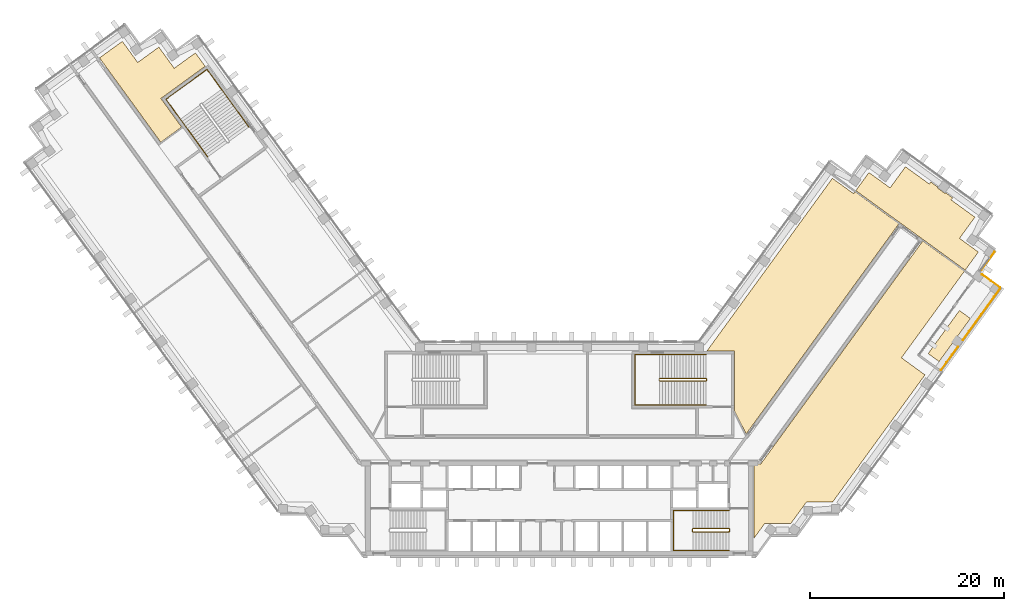
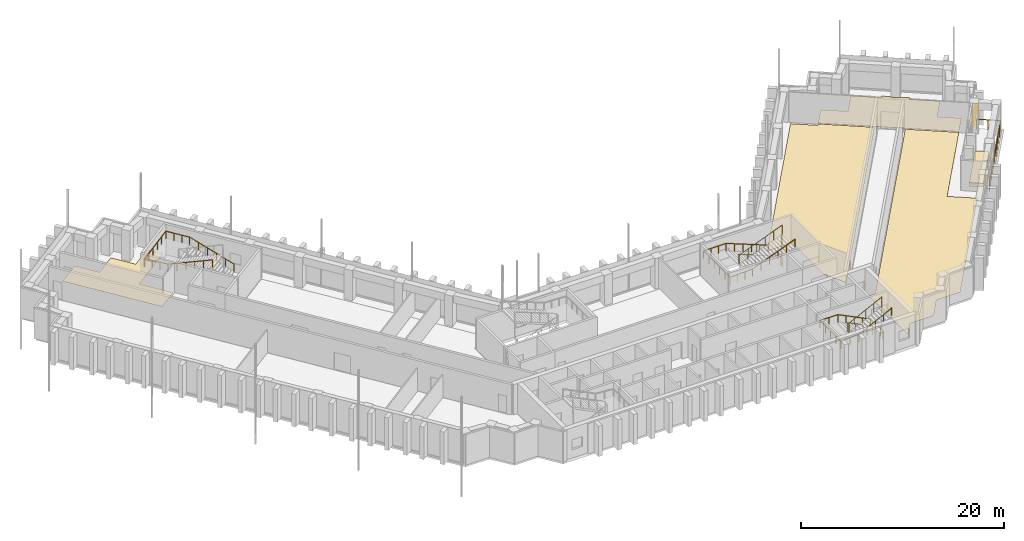
# One storey, part 16 of 16: 9 railings, 5 coverings.
"""IFC4 building model written with IfcOpenShell, lengths in metres."""

from ifc_helpers import new_model, si_unit, direction, frame, origin, origin_2d, place, context, subcontext, project, spatial, polyline, circle, outline, extrude, material, layer, layer_set, type_object, element, save


model = new_model("IFC4")

# Units and contexts
model_context = context("Model", 3, precision=1e-05, world=origin(), true_north=direction((0.0, 1.0)))
body_context = subcontext(model_context, "Body", "Model", "MODEL_VIEW")
ifc_project = project(units=[si_unit("LENGTHUNIT", "METRE"), si_unit("AREAUNIT", "SQUARE_METRE"), si_unit("VOLUMEUNIT", "CUBIC_METRE"), si_unit("PLANEANGLEUNIT", "RADIAN"), si_unit("MASSUNIT", "GRAM", prefix="KILO")], contexts=[model_context])

# Site, building, storey
site_placement = place(None, origin())
site = spatial("IfcSite", under=ifc_project, at=site_placement, CompositionType="ELEMENT")
building_placement = place(site_placement, origin())
building = spatial("IfcBuilding", under=site, at=building_placement, Name="Quipu Civic Tower", CompositionType="ELEMENT")
storey_placement = place(building_placement, frame((0.0, 0.0, 89.0)))
storey = spatial("IfcBuildingStorey", under=building, at=storey_placement, Name="L20", CompositionType="ELEMENT", Elevation=89.0)

# Coverings
ifc_material_1 = material(Name="Carpet tile on raised access floor")
ifc_layer_1 = layer(ifc_material_1, 0.02001953125)
ifc_layer_set_1 = layer_set([ifc_layer_1], Name="Carpet tile on raised access floor")
covering_type_1 = type_object("IfcCoveringType", Name="Carpet tile floor finish 20", PredefinedType="FLOORING", material=ifc_layer_set_1)
covering_1_placement = place(storey_placement, origin())
element("IfcCovering", 1, at=covering_1_placement, inside=storey, type_object=covering_type_1, Name="Carpet tile floor finish 20", PredefinedType="FLOORING", context=body_context, shape_type="SweptSolid", body=[
    extrude(outline(polyline([(-47.471923828125, 40.39794921875), (-45.116943359375, 42.10791015625), (-43.531982421875, 39.925048828125), (-41.346923828125, 41.510986328125), (-39.760009765625, 39.326904296875), (-37.574951171875, 40.9130859375), (-36.570068359375, 39.530029296875), (-41.139892578125, 36.208984375), (-38.998046875, 33.260009765625), (-41.15087890625, 31.697021484375), (-47.471923828125, 40.39794921875)])), origin(), (0.0, 0.0, 1.0), 0.02001953125),
])
covering_2_placement = place(storey_placement, origin())
element("IfcCovering", 2, at=covering_2_placement, inside=storey, type_object=covering_type_1, Name="Carpet tile floor finish 20", PredefinedType="FLOORING", context=body_context, shape_type="SweptSolid", body=[
    extrude(outline(polyline([(15.238037109375, 10.169921875), (28.169921875, 27.968994140625), (30.35302734375, 26.383056640625), (30.5009765625, 26.583984375), (35.0400390625, 23.2880859375), (19.27197265625, 1.583984375), (18.070068359375, 3.94189453125), (18.070068359375, 10.1689453125), (15.238037109375, 10.169921875)])), origin(), (0.0, 0.0, 1.0), 0.02001953125),
])
covering_3_placement = place(storey_placement, origin())
element("IfcCovering", 3, at=covering_3_placement, inside=storey, type_object=covering_type_1, Name="Carpet tile floor finish 20", PredefinedType="FLOORING", context=body_context, shape_type="SweptSolid", body=[
    extrude(outline(polyline([(20.070068359375, -9.195068359375), (20.070068359375, -1.52001953125), (20.77490234375, -1.51904296875), (37.4990234375, 21.5), (41.794921875, 18.3798828125), (35.301025390625, 9.44091796875), (37.72705078125, 7.677001953125), (28.181884765625, -5.4609375), (25.48193359375, -5.4619140625), (25.2080078125, -5.840087890625), (25.205078125, -5.841064453125), (25.200927734375, -5.843017578125), (25.197021484375, -5.844970703125), (25.193115234375, -5.847900390625), (25.18896484375, -5.85205078125), (25.18603515625, -5.85498046875), (25.18310546875, -5.85888671875), (25.179931640625, -5.863037109375), (25.177978515625, -5.867919921875), (25.177001953125, -5.8720703125), (25.175048828125, -5.876953125), (25.175048828125, -5.882080078125), (25.174072265625, -5.885986328125), (23.89501953125, -7.64599609375), (21.721923828125, -7.64599609375), (21.721923828125, -7.64599609375), (21.718017578125, -7.64306640625), (21.712890625, -7.64111328125), (21.708984375, -7.638916015625), (21.7041015625, -7.637939453125), (21.698974609375, -7.636962890625), (21.694091796875, -7.635986328125), (21.68896484375, -7.636962890625), (21.68408203125, -7.636962890625), (21.679931640625, -7.637939453125), (21.675048828125, -7.639892578125), (21.669921875, -7.64111328125), (21.666015625, -7.64404296875), (21.6630859375, -7.64599609375), (21.196044921875, -7.64599609375), (20.070068359375, -9.195068359375)])), origin(), (0.0, 0.0, 1.0), 0.02001953125),
])
covering_4_placement = place(storey_placement, origin())
element("IfcCovering", 4, at=covering_4_placement, inside=storey, type_object=covering_type_1, Name="Carpet tile floor finish 20", PredefinedType="FLOORING", context=body_context, shape_type="SweptSolid", body=[
    extrude(outline(polyline([(30.583984375, 26.697021484375), (31.94189453125, 28.56591796875), (34.126953125, 26.97998046875), (35.712890625, 29.1640625), (38.169921875, 27.37890625), (38.324951171875, 27.587890625), (39.044921875, 27.06396484375), (39.02197265625, 27.031982421875), (39.01904296875, 27.028076171875), (39.01708984375, 27.02294921875), (39.014892578125, 27.01904296875), (39.013916015625, 27.013916015625), (39.012939453125, 27.009033203125), (39.011962890625, 27.00390625), (39.011962890625, 27.0), (39.012939453125, 26.9951171875), (39.013916015625, 26.989990234375), (39.014892578125, 26.985107421875), (39.01708984375, 26.98095703125), (39.02001953125, 26.97607421875), (39.02197265625, 26.971923828125), (39.02490234375, 26.968994140625), (39.029052734375, 26.965087890625), (39.032958984375, 26.9619140625), (39.760986328125, 26.43310546875), (39.764892578125, 26.429931640625), (39.76904296875, 26.427978515625), (39.77392578125, 26.426025390625), (39.779052734375, 26.425048828125), (39.782958984375, 26.424072265625), (39.7880859375, 26.423095703125), (39.79296875, 26.424072265625), (39.798095703125, 26.424072265625), (39.802978515625, 26.425048828125), (39.80810546875, 26.427001953125), (39.81201171875, 26.427978515625), (39.81591796875, 26.430908203125), (39.820068359375, 26.43408203125), (39.823974609375, 26.43701171875), (39.827880859375, 26.43994140625), (39.8310546875, 26.444091796875), (39.85400390625, 26.47705078125), (40.574951171875, 25.952880859375), (40.424072265625, 25.740966796875), (42.881103515625, 23.95703125), (41.2939453125, 21.77294921875), (43.235107421875, 20.362060546875), (41.8779296875, 18.492919921875), (30.583984375, 26.697021484375)])), origin(), (0.0, 0.0, 1.0), 0.02001953125),
])
ifc_material_2 = material(Name="Planting soil on drainage board")
ifc_layer_2 = layer(ifc_material_2, 0.449951171875)
ifc_layer_set_2 = layer_set([ifc_layer_2], Name="Planting soil on drainage board")
covering_type_2 = type_object("IfcCoveringType", Name="Planted terrace build-up", PredefinedType="FLOORING", material=ifc_layer_set_2)
covering_5_placement = place(storey_placement, origin())
element("IfcCovering", 5, at=covering_5_placement, inside=storey, type_object=covering_type_2, Name="Planted terrace L20 bed 1", PredefinedType="FLOORING", context=body_context, shape_type="SweptSolid", body=[
    extrude(outline(polyline([(41.28515625, 14.3251953125), (42.41796875, 13.502197265625), (39.184814453125, 9.05224609375), (38.05224609375, 9.875244140625), (41.28515625, 14.3251953125)])), origin(), (0.0, 0.0, 1.0), 0.449951171875),
])

# Railings
ifc_material_3 = material(Name="Stainless steel", Category="steel")
railing_type_1 = type_object("IfcRailingType", Name="Stair guard 1100", PredefinedType="GUARDRAIL", material=ifc_material_3)
railing_1_placement = place(storey_placement, frame((17.5, -8.199951171875, 0.15380859375)))
element("IfcRailing", 6, at=railing_1_placement, inside=storey, type_object=railing_type_1, Name="Stair 2 guard", PredefinedType="GUARDRAIL", context=body_context, shape_type="SweptSolid", body=[
    extrude(circle(Radius=0.02392578125, at=origin_2d()), frame((0.0, 0.0, 1.076171875), z_axis=(-0.895751851347, 0.0, 0.444554407028), x_axis=(0.0, -1.0, 0.0)), (0.0, 0.0, 1.0), 4.15283203125),
    extrude(circle(Radius=0.02392578125, at=origin_2d()), frame((-3.719970703125, 0.0, 2.92236328125), z_axis=(-0.707106781187, -0.707106781187, 0.0), x_axis=(0.707106781187, -0.707106781187, 0.0)), (0.0, 0.0, 1.0), 0.07080078125),
    extrude(circle(Radius=0.02392578125, at=origin_2d()), frame((-3.77001953125, -0.050048828125, 2.92236328125), z_axis=(0.0, -1.0, 0.0), x_axis=(1.0, 0.0, 0.0)), (0.0, 0.0, 1.0), 0.25),
    extrude(circle(Radius=0.02392578125, at=origin_2d()), frame((-3.77001953125, -0.300048828125, 2.92236328125), z_axis=(0.295599637079, -0.295599637079, 0.908428152975), x_axis=(0.707106781187, 0.707106781187, 0.0)), (0.0, 0.0, 1.0), 0.16943359375),
    extrude(circle(Radius=0.02392578125, at=origin_2d()), frame((-3.719970703125, -0.35009765625, 3.076171875), z_axis=(0.895751851347, 0.0, 0.444554407028), x_axis=(0.0, 1.0, 0.0)), (0.0, 0.0, 1.0), 4.15283203125),
    extrude(circle(Radius=0.02392578125, at=origin_2d()), frame((0.0, -0.35009765625, 4.92236328125), z_axis=(0.012476181752, 0.074796231092, -0.997120789425), x_axis=(-0.986372223864, 0.164529134168, 0.0)), (0.0, 0.0, 1.0), 4.011474609375),
    extrude(circle(Radius=0.02392578125, at=origin_2d()), frame((0.050048828125, -0.050048828125, 0.92236328125), z_axis=(0.0, -1.0, 0.0), x_axis=(1.0, 0.0, 0.0)), (0.0, 0.0, 1.0), 0.25),
    extrude(circle(Radius=0.02099609375, at=origin_2d()), origin(), (0.0, 0.0, 1.0), 1.052001953125),
    extrude(circle(Radius=0.02099609375, at=origin_2d()), frame((-0.929931640625, 0.0, 0.46142578125)), (0.0, 0.0, 1.0), 1.052001953125),
    extrude(circle(Radius=0.02099609375, at=origin_2d()), frame((-1.85986328125, 0.0, 0.923095703125)), (0.0, 0.0, 1.0), 1.052001953125),
    extrude(circle(Radius=0.02099609375, at=origin_2d()), frame((-2.7900390625, 0.0, 1.384765625)), (0.0, 0.0, 1.0), 1.052001953125),
    extrude(circle(Radius=0.02099609375, at=origin_2d()), frame((-3.719970703125, 0.0, 1.84619140625)), (0.0, 0.0, 1.0), 1.052001953125),
    extrude(circle(Radius=0.02099609375, at=origin_2d()), frame((-3.77001953125, -0.050048828125, 1.84619140625)), (0.0, 0.0, 1.0), 1.052001953125),
    extrude(circle(Radius=0.02099609375, at=origin_2d()), frame((-3.77001953125, -0.300048828125, 1.84619140625)), (0.0, 0.0, 1.0), 1.052001953125),
    extrude(circle(Radius=0.02099609375, at=origin_2d()), frame((-3.719970703125, -0.35009765625, 2.0)), (0.0, 0.0, 1.0), 1.052001953125),
    extrude(circle(Radius=0.02099609375, at=origin_2d()), frame((-2.7900390625, -0.35009765625, 2.46142578125)), (0.0, 0.0, 1.0), 1.052001953125),
    extrude(circle(Radius=0.02099609375, at=origin_2d()), frame((-1.85986328125, -0.35009765625, 2.923095703125)), (0.0, 0.0, 1.0), 1.052001953125),
    extrude(circle(Radius=0.02099609375, at=origin_2d()), frame((-0.929931640625, -0.35009765625, 3.384765625)), (0.0, 0.0, 1.0), 1.052001953125),
    extrude(circle(Radius=0.02099609375, at=origin_2d()), frame((0.0, -0.35009765625, 3.84619140625)), (0.0, 0.0, 1.0), 1.052001953125),
    extrude(circle(Radius=0.02099609375, at=origin_2d()), frame((0.012451171875, -0.275146484375, 2.84619140625)), (0.0, 0.0, 1.0), 1.052001953125),
    extrude(circle(Radius=0.02099609375, at=origin_2d()), frame((0.02490234375, -0.2001953125, 1.84619140625)), (0.0, 0.0, 1.0), 1.052001953125),
    extrude(circle(Radius=0.02099609375, at=origin_2d()), frame((0.03759765625, -0.125, 0.84619140625)), (0.0, 0.0, 1.0), 1.052001953125),
    extrude(circle(Radius=0.02099609375, at=origin_2d()), frame((0.050048828125, -0.050048828125, -0.15380859375)), (0.0, 0.0, 1.0), 1.052001953125),
    extrude(circle(Radius=0.02099609375, at=origin_2d()), frame((0.050048828125, -0.300048828125, -0.15380859375)), (0.0, 0.0, 1.0), 1.052001953125),
])
railing_2_placement = place(storey_placement, frame((15.14990234375, 7.300048828125, 0.11767578125)))
element("IfcRailing", 7, at=railing_2_placement, inside=storey, type_object=railing_type_1, Name="Stair 4 guard", PredefinedType="GUARDRAIL", context=body_context, shape_type="SweptSolid", body=[
    extrude(circle(Radius=0.02392578125, at=origin_2d()), frame((0.0, 0.0, 1.076171875), z_axis=(-0.930970042603, 0.0, 0.365095576219), x_axis=(0.0, -1.0, 0.0)), (0.0, 0.0, 1.0), 5.15576171875),
    extrude(circle(Radius=0.02392578125, at=origin_2d()), frame((-4.7998046875, 0.0, 2.95849609375), z_axis=(-0.707106781187, -0.707106781187, 0.0), x_axis=(0.707106781187, -0.707106781187, 0.0)), (0.0, 0.0, 1.0), 0.07080078125),
    extrude(circle(Radius=0.02392578125, at=origin_2d()), frame((-4.849853515625, -0.050048828125, 2.95849609375), z_axis=(0.0, -1.0, 0.0), x_axis=(1.0, 0.0, 0.0)), (0.0, 0.0, 1.0), 0.14990234375),
    extrude(circle(Radius=0.02392578125, at=origin_2d()), frame((-4.849853515625, -0.199951171875, 2.95849609375), z_axis=(0.364463019033, -0.364463019033, 0.856932561824), x_axis=(0.707106781187, 0.707106781187, 0.0)), (0.0, 0.0, 1.0), 0.13720703125),
    extrude(circle(Radius=0.02392578125, at=origin_2d()), frame((-4.7998046875, -0.25, 3.076171875), z_axis=(0.930970042603, 0.0, 0.365095576219), x_axis=(0.0, 1.0, 0.0)), (0.0, 0.0, 1.0), 5.15576171875),
    extrude(circle(Radius=0.02392578125, at=origin_2d()), frame((0.0, -0.25, 4.95849609375), z_axis=(0.012495627992, 0.049921557685, -0.998674970829), x_axis=(-0.970072785993, 0.242814311512, 0.0)), (0.0, 0.0, 1.0), 4.00537109375),
    extrude(circle(Radius=0.02392578125, at=origin_2d()), frame((0.050048828125, -0.050048828125, 0.95849609375), z_axis=(0.0, -1.0, 0.0), x_axis=(1.0, 0.0, 0.0)), (0.0, 0.0, 1.0), 0.14990234375),
    extrude(circle(Radius=0.02099609375, at=origin_2d()), origin(), (0.0, 0.0, 1.0), 1.052001953125),
    extrude(circle(Radius=0.02099609375, at=origin_2d()), frame((-0.9599609375, 0.0, 0.37646484375)), (0.0, 0.0, 1.0), 1.052001953125),
    extrude(circle(Radius=0.02099609375, at=origin_2d()), frame((-1.919921875, 0.0, 0.7529296875)), (0.0, 0.0, 1.0), 1.052001953125),
    extrude(circle(Radius=0.02099609375, at=origin_2d()), frame((-2.8798828125, 0.0, 1.12939453125)), (0.0, 0.0, 1.0), 1.052001953125),
    extrude(circle(Radius=0.02099609375, at=origin_2d()), frame((-3.83984375, 0.0, 1.505859375)), (0.0, 0.0, 1.0), 1.052001953125),
    extrude(circle(Radius=0.02099609375, at=origin_2d()), frame((-4.7998046875, 0.0, 1.88232421875)), (0.0, 0.0, 1.0), 1.052001953125),
    extrude(circle(Radius=0.02099609375, at=origin_2d()), frame((-4.849853515625, -0.050048828125, 1.88232421875)), (0.0, 0.0, 1.0), 1.052001953125),
    extrude(circle(Radius=0.02099609375, at=origin_2d()), frame((-4.849853515625, -0.199951171875, 1.88232421875)), (0.0, 0.0, 1.0), 1.052001953125),
    extrude(circle(Radius=0.02099609375, at=origin_2d()), frame((-4.7998046875, -0.25, 2.0)), (0.0, 0.0, 1.0), 1.052001953125),
    extrude(circle(Radius=0.02099609375, at=origin_2d()), frame((-3.83984375, -0.25, 2.37646484375)), (0.0, 0.0, 1.0), 1.052001953125),
    extrude(circle(Radius=0.02099609375, at=origin_2d()), frame((-2.8798828125, -0.25, 2.7529296875)), (0.0, 0.0, 1.0), 1.052001953125),
    extrude(circle(Radius=0.02099609375, at=origin_2d()), frame((-1.919921875, -0.25, 3.12939453125)), (0.0, 0.0, 1.0), 1.052001953125),
    extrude(circle(Radius=0.02099609375, at=origin_2d()), frame((-0.9599609375, -0.25, 3.505859375)), (0.0, 0.0, 1.0), 1.052001953125),
    extrude(circle(Radius=0.02099609375, at=origin_2d()), frame((0.0, -0.25, 3.88232421875)), (0.0, 0.0, 1.0), 1.052001953125),
    extrude(circle(Radius=0.02099609375, at=origin_2d()), frame((0.012451171875, -0.199951171875, 2.88232421875)), (0.0, 0.0, 1.0), 1.052001953125),
    extrude(circle(Radius=0.02099609375, at=origin_2d()), frame((0.02490234375, -0.14990234375, 1.88232421875)), (0.0, 0.0, 1.0), 1.052001953125),
    extrude(circle(Radius=0.02099609375, at=origin_2d()), frame((0.03759765625, -0.10009765625, 0.88232421875)), (0.0, 0.0, 1.0), 1.052001953125),
    extrude(circle(Radius=0.02099609375, at=origin_2d()), frame((0.050048828125, -0.050048828125, -0.11767578125)), (0.0, 0.0, 1.0), 1.052001953125),
    extrude(circle(Radius=0.02099609375, at=origin_2d()), frame((0.050048828125, -0.199951171875, -0.11767578125)), (0.0, 0.0, 1.0), 1.052001953125),
])
ifc_material_4 = material(Name="Stainless steel", Category="steel")
railing_type_2 = type_object("IfcRailingType", Name="Stair handrail", PredefinedType="HANDRAIL", material=ifc_material_4)
railing_3_placement = place(storey_placement, frame((17.5, -6.300048828125, 0.15380859375)))
element("IfcRailing", 8, at=railing_3_placement, inside=storey, type_object=railing_type_2, Name="Stair 2 handrail", PredefinedType="HANDRAIL", context=body_context, shape_type="SweptSolid", body=[
    extrude(circle(Radius=0.02392578125, at=origin_2d()), frame((0.0, 0.0, 0.8759765625), z_axis=(-0.895751851347, 0.0, 0.444554407028), x_axis=(0.0, -1.0, 0.0)), (0.0, 0.0, 1.0), 4.15283203125),
    extrude(circle(Radius=0.02392578125, at=origin_2d()), frame((-3.719970703125, 0.0, 2.72216796875), z_axis=(-1.0, 0.0, 0.0), x_axis=(0.0, -1.0, 0.0)), (0.0, 0.0, 1.0), 2.030029296875),
    extrude(circle(Radius=0.02392578125, at=origin_2d()), frame((-5.75, 0.0, 2.72216796875), z_axis=(0.0, -1.0, 0.0), x_axis=(1.0, 0.0, 0.0)), (0.0, 0.0, 1.0), 4.14990234375),
    extrude(circle(Radius=0.02392578125, at=origin_2d()), frame((-5.75, -4.14990234375, 2.72216796875), z_axis=(0.997142003663, 0.0, 0.075550145798), x_axis=(0.0, 1.0, 0.0)), (0.0, 0.0, 1.0), 2.035888671875),
    extrude(circle(Radius=0.02392578125, at=origin_2d()), frame((-3.719970703125, -4.14990234375, 2.8759765625), z_axis=(0.895751851347, 0.0, 0.444554407028), x_axis=(0.0, 1.0, 0.0)), (0.0, 0.0, 1.0), 4.15283203125),
    extrude(circle(Radius=0.02099609375, at=origin_2d()), origin(), (0.0, 0.0, 1.0), 0.851806640625),
    extrude(circle(Radius=0.02099609375, at=origin_2d()), frame((-0.929931640625, 0.0, 0.46142578125)), (0.0, 0.0, 1.0), 0.851806640625),
    extrude(circle(Radius=0.02099609375, at=origin_2d()), frame((-1.85986328125, 0.0, 0.923095703125)), (0.0, 0.0, 1.0), 0.851806640625),
    extrude(circle(Radius=0.02099609375, at=origin_2d()), frame((-2.7900390625, 0.0, 1.384765625)), (0.0, 0.0, 1.0), 0.851806640625),
    extrude(circle(Radius=0.02099609375, at=origin_2d()), frame((-3.719970703125, 0.0, 1.84619140625)), (0.0, 0.0, 1.0), 0.851806640625),
    extrude(circle(Radius=0.02099609375, at=origin_2d()), frame((-4.73486328125, 0.0, 1.84619140625)), (0.0, 0.0, 1.0), 0.851806640625),
    extrude(circle(Radius=0.02099609375, at=origin_2d()), frame((-5.75, 0.0, 1.84619140625)), (0.0, 0.0, 1.0), 0.851806640625),
    extrude(circle(Radius=0.02099609375, at=origin_2d()), frame((-5.75, -1.03759765625, 1.84619140625)), (0.0, 0.0, 1.0), 0.851806640625),
    extrude(circle(Radius=0.02099609375, at=origin_2d()), frame((-5.75, -2.074951171875, 1.84619140625)), (0.0, 0.0, 1.0), 0.851806640625),
    extrude(circle(Radius=0.02099609375, at=origin_2d()), frame((-5.75, -3.1123046875, 1.84619140625)), (0.0, 0.0, 1.0), 0.851806640625),
    extrude(circle(Radius=0.02099609375, at=origin_2d()), frame((-5.75, -4.14990234375, 1.84619140625)), (0.0, 0.0, 1.0), 0.851806640625),
    extrude(circle(Radius=0.02099609375, at=origin_2d()), frame((-4.73486328125, -4.14990234375, 1.923095703125)), (0.0, 0.0, 1.0), 0.851806640625),
    extrude(circle(Radius=0.02099609375, at=origin_2d()), frame((-3.719970703125, -4.14990234375, 2.0)), (0.0, 0.0, 1.0), 0.851806640625),
    extrude(circle(Radius=0.02099609375, at=origin_2d()), frame((-2.7900390625, -4.14990234375, 2.46142578125)), (0.0, 0.0, 1.0), 0.851806640625),
    extrude(circle(Radius=0.02099609375, at=origin_2d()), frame((-1.85986328125, -4.14990234375, 2.923095703125)), (0.0, 0.0, 1.0), 0.851806640625),
    extrude(circle(Radius=0.02099609375, at=origin_2d()), frame((-0.929931640625, -4.14990234375, 3.384765625)), (0.0, 0.0, 1.0), 0.851806640625),
    extrude(circle(Radius=0.02099609375, at=origin_2d()), frame((0.0, -4.14990234375, 3.84619140625)), (0.0, 0.0, 1.0), 0.851806640625),
])
railing_4_placement = place(storey_placement, frame((15.14990234375, 9.800048828125, 0.11767578125)))
element("IfcRailing", 9, at=railing_4_placement, inside=storey, type_object=railing_type_2, Name="Stair 4 handrail", PredefinedType="HANDRAIL", context=body_context, shape_type="SweptSolid", body=[
    extrude(circle(Radius=0.02392578125, at=origin_2d()), frame((0.0, 0.0, 0.8759765625), z_axis=(-0.930970042603, 0.0, 0.365095576219), x_axis=(0.0, -1.0, 0.0)), (0.0, 0.0, 1.0), 5.15576171875),
    extrude(circle(Radius=0.02392578125, at=origin_2d()), frame((-4.7998046875, 0.0, 2.75830078125), z_axis=(-1.0, 0.0, 0.0), x_axis=(0.0, -1.0, 0.0)), (0.0, 0.0, 1.0), 2.550048828125),
    extrude(circle(Radius=0.02392578125, at=origin_2d()), frame((-7.349853515625, 0.0, 2.75830078125), z_axis=(0.0, -1.0, 0.0), x_axis=(1.0, 0.0, 0.0)), (0.0, 0.0, 1.0), 5.25),
    extrude(circle(Radius=0.02392578125, at=origin_2d()), frame((-7.349853515625, -5.25, 2.75830078125), z_axis=(0.998936948642, 0.0, 0.04609742549), x_axis=(0.0, 1.0, 0.0)), (0.0, 0.0, 1.0), 2.552734375),
    extrude(circle(Radius=0.02392578125, at=origin_2d()), frame((-4.7998046875, -5.25, 2.8759765625), z_axis=(0.930970042603, 0.0, 0.365095576219), x_axis=(0.0, 1.0, 0.0)), (0.0, 0.0, 1.0), 5.15576171875),
    extrude(circle(Radius=0.02099609375, at=origin_2d()), origin(), (0.0, 0.0, 1.0), 0.851806640625),
    extrude(circle(Radius=0.02099609375, at=origin_2d()), frame((-0.9599609375, 0.0, 0.37646484375)), (0.0, 0.0, 1.0), 0.851806640625),
    extrude(circle(Radius=0.02099609375, at=origin_2d()), frame((-1.919921875, 0.0, 0.7529296875)), (0.0, 0.0, 1.0), 0.851806640625),
    extrude(circle(Radius=0.02099609375, at=origin_2d()), frame((-2.8798828125, 0.0, 1.12939453125)), (0.0, 0.0, 1.0), 0.851806640625),
    extrude(circle(Radius=0.02099609375, at=origin_2d()), frame((-3.83984375, 0.0, 1.505859375)), (0.0, 0.0, 1.0), 0.851806640625),
    extrude(circle(Radius=0.02099609375, at=origin_2d()), frame((-4.7998046875, 0.0, 1.88232421875)), (0.0, 0.0, 1.0), 0.851806640625),
    extrude(circle(Radius=0.02099609375, at=origin_2d()), frame((-5.64990234375, 0.0, 1.88232421875)), (0.0, 0.0, 1.0), 0.851806640625),
    extrude(circle(Radius=0.02099609375, at=origin_2d()), frame((-6.499755859375, 0.0, 1.88232421875)), (0.0, 0.0, 1.0), 0.851806640625),
    extrude(circle(Radius=0.02099609375, at=origin_2d()), frame((-7.349853515625, 0.0, 1.88232421875)), (0.0, 0.0, 1.0), 0.851806640625),
    extrude(circle(Radius=0.02099609375, at=origin_2d()), frame((-7.349853515625, -1.050048828125, 1.88232421875)), (0.0, 0.0, 1.0), 0.851806640625),
    extrude(circle(Radius=0.02099609375, at=origin_2d()), frame((-7.349853515625, -2.10009765625, 1.88232421875)), (0.0, 0.0, 1.0), 0.851806640625),
    extrude(circle(Radius=0.02099609375, at=origin_2d()), frame((-7.349853515625, -3.14990234375, 1.88232421875)), (0.0, 0.0, 1.0), 0.851806640625),
    extrude(circle(Radius=0.02099609375, at=origin_2d()), frame((-7.349853515625, -4.199951171875, 1.88232421875)), (0.0, 0.0, 1.0), 0.851806640625),
    extrude(circle(Radius=0.02099609375, at=origin_2d()), frame((-7.349853515625, -5.25, 1.88232421875)), (0.0, 0.0, 1.0), 0.851806640625),
    extrude(circle(Radius=0.02099609375, at=origin_2d()), frame((-6.499755859375, -5.25, 1.921630859375)), (0.0, 0.0, 1.0), 0.851806640625),
    extrude(circle(Radius=0.02099609375, at=origin_2d()), frame((-5.64990234375, -5.25, 1.960693359375)), (0.0, 0.0, 1.0), 0.851806640625),
    extrude(circle(Radius=0.02099609375, at=origin_2d()), frame((-4.7998046875, -5.25, 2.0)), (0.0, 0.0, 1.0), 0.851806640625),
    extrude(circle(Radius=0.02099609375, at=origin_2d()), frame((-3.83984375, -5.25, 2.37646484375)), (0.0, 0.0, 1.0), 0.851806640625),
    extrude(circle(Radius=0.02099609375, at=origin_2d()), frame((-2.8798828125, -5.25, 2.7529296875)), (0.0, 0.0, 1.0), 0.851806640625),
    extrude(circle(Radius=0.02099609375, at=origin_2d()), frame((-1.919921875, -5.25, 3.12939453125)), (0.0, 0.0, 1.0), 0.851806640625),
    extrude(circle(Radius=0.02099609375, at=origin_2d()), frame((-0.9599609375, -5.25, 3.505859375)), (0.0, 0.0, 1.0), 0.851806640625),
    extrude(circle(Radius=0.02099609375, at=origin_2d()), frame((0.0, -5.25, 3.88232421875)), (0.0, 0.0, 1.0), 0.851806640625),
])
railing_5_placement = place(storey_placement, frame((-32.056396484375, 33.266845703125, 0.11767578125)))
element("IfcRailing", 10, at=railing_5_placement, inside=storey, type_object=railing_type_2, Name="Stair 6 handrail", PredefinedType="HANDRAIL", context=body_context, shape_type="SweptSolid", body=[
    extrude(circle(Radius=0.02392578125, at=origin_2d()), frame((0.0, 0.0, 0.8759765625), z_axis=(-0.54720100349, 0.753182689643, 0.365084781664), x_axis=(-0.809026317077, -0.587772420479, 0.0)), (0.0, 0.0, 1.0), 5.15576171875),
    extrude(circle(Radius=0.02392578125, at=origin_2d()), frame((-2.8212890625, 3.88330078125, 2.75830078125), z_axis=(-0.587767432704, 0.809029940764, 0.0), x_axis=(-0.809029940764, -0.587767432704, 0.0)), (0.0, 0.0, 1.0), 2.550048828125),
    extrude(circle(Radius=0.02392578125, at=origin_2d()), frame((-4.320068359375, 5.9462890625, 2.75830078125), z_axis=(-0.809009483706, -0.587795589702, 0.0), x_axis=(0.587795589702, -0.809009483706, 0.0)), (0.0, 0.0, 1.0), 5.25),
    extrude(circle(Radius=0.02392578125, at=origin_2d()), frame((-8.5673828125, 2.8603515625, 2.75830078125), z_axis=(0.587142558822, -0.808169835812, 0.046099155132), x_axis=(0.809029940764, 0.587767432704, 0.0)), (0.0, 0.0, 1.0), 2.552734375),
    extrude(circle(Radius=0.02392578125, at=origin_2d()), frame((-7.068603515625, 0.79736328125, 2.8759765625), z_axis=(0.54720100349, -0.753182689643, 0.365084781664), x_axis=(0.809026317077, 0.587772420479, 0.0)), (0.0, 0.0, 1.0), 5.15576171875),
    extrude(circle(Radius=0.02099609375, at=origin_2d()), origin(), (0.0, 0.0, 1.0), 0.851806640625),
    extrude(circle(Radius=0.02099609375, at=origin_2d()), frame((-0.564208984375, 0.776611328125, 0.37646484375)), (0.0, 0.0, 1.0), 0.851806640625),
    extrude(circle(Radius=0.02099609375, at=origin_2d()), frame((-1.12841796875, 1.55322265625, 0.7529296875)), (0.0, 0.0, 1.0), 0.851806640625),
    extrude(circle(Radius=0.02099609375, at=origin_2d()), frame((-1.69287109375, 2.330078125, 1.12939453125)), (0.0, 0.0, 1.0), 0.851806640625),
    extrude(circle(Radius=0.02099609375, at=origin_2d()), frame((-2.257080078125, 3.106689453125, 1.505859375)), (0.0, 0.0, 1.0), 0.851806640625),
    extrude(circle(Radius=0.02099609375, at=origin_2d()), frame((-2.8212890625, 3.88330078125, 1.88232421875)), (0.0, 0.0, 1.0), 0.851806640625),
    extrude(circle(Radius=0.02099609375, at=origin_2d()), frame((-3.32080078125, 4.571044921875, 1.88232421875)), (0.0, 0.0, 1.0), 0.851806640625),
    extrude(circle(Radius=0.02099609375, at=origin_2d()), frame((-3.820556640625, 5.258544921875, 1.88232421875)), (0.0, 0.0, 1.0), 0.851806640625),
    extrude(circle(Radius=0.02099609375, at=origin_2d()), frame((-4.320068359375, 5.9462890625, 1.88232421875)), (0.0, 0.0, 1.0), 0.851806640625),
    extrude(circle(Radius=0.02099609375, at=origin_2d()), frame((-5.16943359375, 5.3291015625, 1.88232421875)), (0.0, 0.0, 1.0), 0.851806640625),
    extrude(circle(Radius=0.02099609375, at=origin_2d()), frame((-6.01904296875, 4.7119140625, 1.88232421875)), (0.0, 0.0, 1.0), 0.851806640625),
    extrude(circle(Radius=0.02099609375, at=origin_2d()), frame((-6.868408203125, 4.0947265625, 1.88232421875)), (0.0, 0.0, 1.0), 0.851806640625),
    extrude(circle(Radius=0.02099609375, at=origin_2d()), frame((-7.718017578125, 3.4775390625, 1.88232421875)), (0.0, 0.0, 1.0), 0.851806640625),
    extrude(circle(Radius=0.02099609375, at=origin_2d()), frame((-8.5673828125, 2.8603515625, 1.88232421875)), (0.0, 0.0, 1.0), 0.851806640625),
    extrude(circle(Radius=0.02099609375, at=origin_2d()), frame((-8.06787109375, 2.172607421875, 1.921630859375)), (0.0, 0.0, 1.0), 0.851806640625),
    extrude(circle(Radius=0.02099609375, at=origin_2d()), frame((-7.568115234375, 1.485107421875, 1.960693359375)), (0.0, 0.0, 1.0), 0.851806640625),
    extrude(circle(Radius=0.02099609375, at=origin_2d()), frame((-7.068603515625, 0.79736328125, 2.0)), (0.0, 0.0, 1.0), 0.851806640625),
    extrude(circle(Radius=0.02099609375, at=origin_2d()), frame((-6.50439453125, 0.020751953125, 2.37646484375)), (0.0, 0.0, 1.0), 0.851806640625),
    extrude(circle(Radius=0.02099609375, at=origin_2d()), frame((-5.940185546875, -0.755859375, 2.7529296875)), (0.0, 0.0, 1.0), 0.851806640625),
    extrude(circle(Radius=0.02099609375, at=origin_2d()), frame((-5.375732421875, -1.53271484375, 3.12939453125)), (0.0, 0.0, 1.0), 0.851806640625),
    extrude(circle(Radius=0.02099609375, at=origin_2d()), frame((-4.8115234375, -2.309326171875, 3.505859375)), (0.0, 0.0, 1.0), 0.851806640625),
    extrude(circle(Radius=0.02099609375, at=origin_2d()), frame((-4.247314453125, -3.0859375, 3.88232421875)), (0.0, 0.0, 1.0), 0.851806640625),
])
ifc_material_5 = material(Name="Steel S275", Category="steel")
railing_type_3 = type_object("IfcRailingType", Name="Terrace guard G1", PredefinedType="GUARDRAIL", material=ifc_material_5)
railing_6_placement = place(storey_placement, frame((39.38232421875, 8.167236328125, 0.0)))
element("IfcRailing", 11, at=railing_6_placement, inside=storey, type_object=railing_type_3, Name="Terrace guard L20.1", PredefinedType="GUARDRAIL", context=body_context, shape_type="SweptSolid", body=[
    extrude(circle(Radius=0.02490234375, at=origin_2d()), frame((0.0, 0.0, 1.1748046875), z_axis=(0.587782264391, 0.809019165204, 0.0), x_axis=(-0.809019165204, 0.587782264391, 0.0)), (0.0, 0.0, 1.0), 2.9453125),
    extrude(circle(Radius=0.02490234375, at=origin_2d()), origin(), (0.0, 0.0, 1.0), 1.14990234375),
    extrude(circle(Radius=0.02490234375, at=origin_2d()), frame((0.5771484375, 0.794189453125, 0.0)), (0.0, 0.0, 1.0), 1.14990234375),
    extrude(circle(Radius=0.02490234375, at=origin_2d()), frame((1.154052734375, 1.588623046875, 0.0)), (0.0, 0.0, 1.0), 1.14990234375),
    extrude(circle(Radius=0.02490234375, at=origin_2d()), frame((1.731201171875, 2.3828125, 0.0)), (0.0, 0.0, 1.0), 1.14990234375),
])
railing_7_placement = place(storey_placement, frame((41.642333984375, 11.278076171875, 0.0)))
element("IfcRailing", 12, at=railing_7_placement, inside=storey, type_object=railing_type_3, Name="Terrace guard L20.2", PredefinedType="GUARDRAIL", context=body_context, shape_type="SweptSolid", body=[
    extrude(circle(Radius=0.02490234375, at=origin_2d()), frame((0.0, 0.0, 1.1748046875), z_axis=(0.587797351114, 0.809008203928, 0.0), x_axis=(-0.809008203928, 0.587797351114, 0.0)), (0.0, 0.0, 1.0), 6.5546875),
    extrude(circle(Radius=0.02490234375, at=origin_2d()), origin(), (0.0, 0.0, 1.0), 1.14990234375),
    extrude(circle(Radius=0.02490234375, at=origin_2d()), frame((0.64208984375, 0.8837890625, 0.0)), (0.0, 0.0, 1.0), 1.14990234375),
    extrude(circle(Radius=0.02490234375, at=origin_2d()), frame((1.2841796875, 1.767578125, 0.0)), (0.0, 0.0, 1.0), 1.14990234375),
    extrude(circle(Radius=0.02490234375, at=origin_2d()), frame((1.92626953125, 2.6513671875, 0.0)), (0.0, 0.0, 1.0), 1.14990234375),
    extrude(circle(Radius=0.02490234375, at=origin_2d()), frame((2.568603515625, 3.53515625, 0.0)), (0.0, 0.0, 1.0), 1.14990234375),
    extrude(circle(Radius=0.02490234375, at=origin_2d()), frame((3.210693359375, 4.4189453125, 0.0)), (0.0, 0.0, 1.0), 1.14990234375),
    extrude(circle(Radius=0.02490234375, at=origin_2d()), frame((3.852783203125, 5.302734375, 0.0)), (0.0, 0.0, 1.0), 1.14990234375),
])
railing_8_placement = place(storey_placement, frame((45.4775390625, 16.692626953125, 0.0)))
element("IfcRailing", 13, at=railing_8_placement, inside=storey, type_object=railing_type_3, Name="Terrace guard L20.3", PredefinedType="GUARDRAIL", context=body_context, shape_type="SweptSolid", body=[
    extrude(circle(Radius=0.02490234375, at=origin_2d()), frame((0.0, 0.0, 1.1748046875), z_axis=(-0.809002213092, 0.587805596445, 0.0), x_axis=(-0.587805596445, -0.809002213092, 0.0)), (0.0, 0.0, 1.0), 2.300048828125),
    extrude(circle(Radius=0.02490234375, at=origin_2d()), origin(), (0.0, 0.0, 1.0), 1.14990234375),
    extrude(circle(Radius=0.02490234375, at=origin_2d()), frame((-0.930419921875, 0.676025390625, 0.0)), (0.0, 0.0, 1.0), 1.14990234375),
    extrude(circle(Radius=0.02490234375, at=origin_2d()), frame((-1.86083984375, 1.35205078125, 0.0)), (0.0, 0.0, 1.0), 1.14990234375),
])
railing_9_placement = place(storey_placement, frame((43.5458984375, 18.49169921875, 0.0)))
element("IfcRailing", 14, at=railing_9_placement, inside=storey, type_object=railing_type_3, Name="Terrace guard L20.4", PredefinedType="GUARDRAIL", context=body_context, shape_type="SweptSolid", body=[
    extrude(circle(Radius=0.02490234375, at=origin_2d()), frame((0.0, 0.0, 1.1748046875), z_axis=(0.587856073225, 0.808965535219, 0.0), x_axis=(-0.808965535219, 0.587856073225, 0.0)), (0.0, 0.0, 1.0), 2.300048828125),
    extrude(circle(Radius=0.02490234375, at=origin_2d()), origin(), (0.0, 0.0, 1.0), 1.14990234375),
    extrude(circle(Radius=0.02490234375, at=origin_2d()), frame((0.676025390625, 0.93017578125, 0.0)), (0.0, 0.0, 1.0), 1.14990234375),
    extrude(circle(Radius=0.02490234375, at=origin_2d()), frame((1.35205078125, 1.860595703125, 0.0)), (0.0, 0.0, 1.0), 1.14990234375),
])

save(model, "model.ifc")
